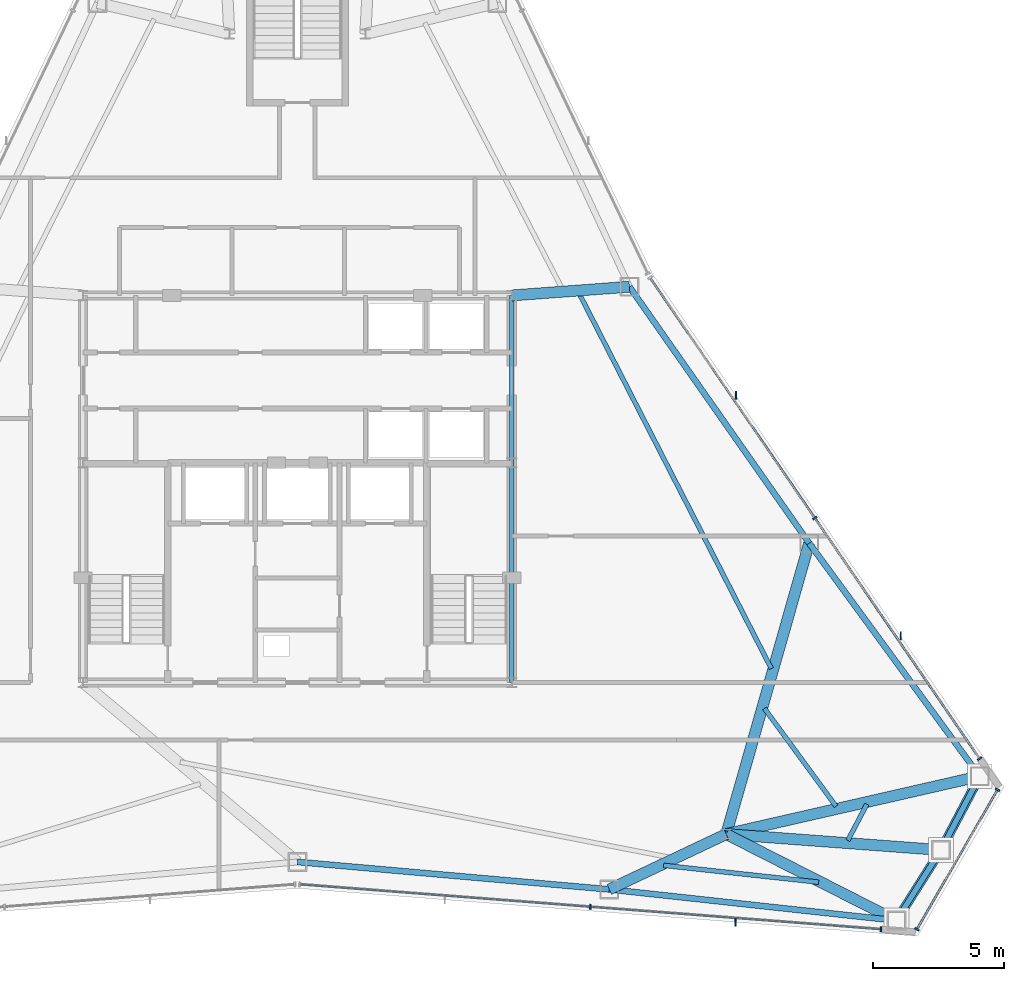
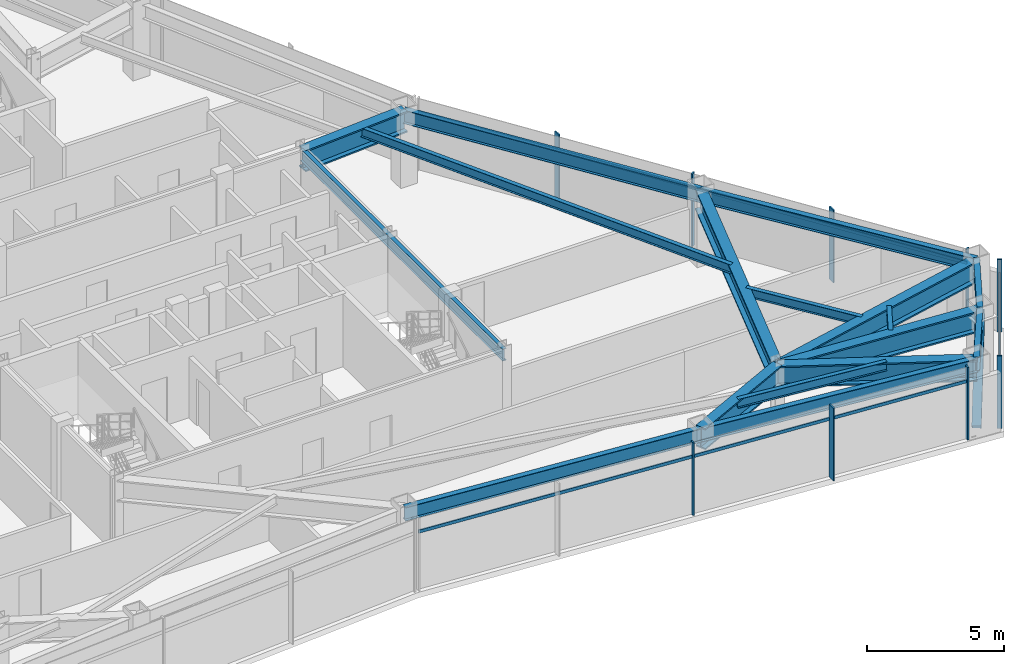
# One storey, part 6 of 12: 17 beams, 14 members, 3 elements without a shape of their own.
"""IFC4 building model written with IfcOpenShell, lengths in metres."""

from ifc_helpers import new_model, si_unit, direction, frame, origin, origin_2d, place, context, subcontext, project, spatial, rectangle, hollow_rectangle, i_section, extrude, source, transform, mapped, material, layer, layer_set, material_profile, profile_set, type_object, type_shapes, element, aggregate, save


model = new_model("IFC4")

# Units and contexts
model_context = context("Model", 3, precision=1e-05, world=origin(), true_north=direction((0.0, 1.0)))
body_context = subcontext(model_context, "Body", "Model", "MODEL_VIEW")
ifc_project = project(units=[si_unit("LENGTHUNIT", "METRE"), si_unit("AREAUNIT", "SQUARE_METRE"), si_unit("VOLUMEUNIT", "CUBIC_METRE"), si_unit("PLANEANGLEUNIT", "RADIAN"), si_unit("MASSUNIT", "GRAM", prefix="KILO")], contexts=[model_context])

# Site, building, storey
site_placement = place(None, origin())
site = spatial("IfcSite", under=ifc_project, at=site_placement, CompositionType="ELEMENT")
building_placement = place(site_placement, origin())
building = spatial("IfcBuilding", under=site, at=building_placement, Name="Varakhsha Concourse Tower", CompositionType="ELEMENT")
storey_placement = place(building_placement, frame((0.0, 0.0, 218.89990234375)))
storey = spatial("IfcBuildingStorey", under=building, at=storey_placement, Name="L62", CompositionType="ELEMENT", Elevation=218.89990234375)

# Beams
ifc_material_1 = material(Name="Structural Steel ASTM A992 Grade 50", Category="steel")
ifc_material_profile_1 = material_profile(ifc_material_1, i_section(OverallWidth=0.177978515625, OverallDepth=0.406982421875, WebThickness=0.008056640625, FlangeThickness=0.012939453125, at=origin_2d()), Name="W16X40")
ifc_profile_set_1 = profile_set([ifc_material_profile_1], Name="Structural Steel ASTM A992 Grade 50")
beam_type_1 = type_object("IfcBeamType", Name="BM-JST-W16X40", PredefinedType="JOIST", material=ifc_profile_set_1)
beam_1_placement = place(storey_placement, frame((54.005615234375, 9.404541015625, 3.046630859375), z_axis=(0.994153254107, -0.107978272576, 0.0), x_axis=(0.107978272576, 0.994153254107, 0.0)))
element("IfcBeam", 1, at=beam_1_placement, inside=storey, type_object=beam_type_1, Name="BM-TJST-L62-12", PredefinedType="JOIST", context=body_context, shape_type="SweptSolid", body=[
    extrude(i_section(OverallWidth=0.177978515625, OverallDepth=0.406982421875, WebThickness=0.008056640625, FlangeThickness=0.012939453125, at=origin_2d()), origin(), (0.0, 0.0, 1.0), 5.964599609375),
])
beam_2_placement = place(storey_placement, frame((61.049072265625, 10.3564453125, 3.046630859375), z_axis=(0.465392975907, 0.885104162219, 0.0), x_axis=(-0.885104162219, 0.465392975907, 0.0)))
element("IfcBeam", 2, at=beam_2_placement, inside=storey, type_object=beam_type_1, Name="BM-TJST-L62-14", PredefinedType="JOIST", context=body_context, shape_type="SweptSolid", body=[
    extrude(i_section(OverallWidth=0.177978515625, OverallDepth=0.406982421875, WebThickness=0.008056640625, FlangeThickness=0.012939453125, at=origin_2d()), origin(), (0.0, 0.0, 1.0), 1.56591796875),
])
beam_3_placement = place(storey_placement, frame((60.600830078125, 11.662841796875, 3.046630859375), z_axis=(-0.590553463379, 0.80699851728, 0.0), x_axis=(-0.80699851728, -0.590553463379, 0.0)))
element("IfcBeam", 3, at=beam_3_placement, inside=storey, type_object=beam_type_1, Name="BM-TJST-L62-15", PredefinedType="JOIST", context=body_context, shape_type="SweptSolid", body=[
    extrude(i_section(OverallWidth=0.177978515625, OverallDepth=0.406982421875, WebThickness=0.008056640625, FlangeThickness=0.012939453125, at=origin_2d()), origin(), (0.0, 0.0, 1.0), 4.639404296875),
])
beam_4_placement = place(storey_placement, frame((58.126708984375, 16.928466796875, 3.046630859375), z_axis=(-0.455992519423, 0.889983607844, 0.0), x_axis=(-0.889983607844, -0.455992519423, 0.0)))
element("IfcBeam", 4, at=beam_4_placement, inside=storey, type_object=beam_type_1, Name="BM-TJST-L62-16", PredefinedType="JOIST", context=body_context, shape_type="SweptSolid", body=[
    extrude(i_section(OverallWidth=0.177978515625, OverallDepth=0.406982421875, WebThickness=0.008056640625, FlangeThickness=0.012939453125, at=origin_2d()), origin(), (0.0, 0.0, 1.0), 16.134521484375),
])
ifc_material_profile_2 = material_profile(ifc_material_1, i_section(OverallWidth=0.423095703125, OverallDepth=0.947998046875, WebThickness=0.0380859375, FlangeThickness=0.06396484375, at=origin_2d()), Name="W36X302")
ifc_profile_set_2 = profile_set([ifc_material_profile_2], Name="Structural Steel ASTM A992 Grade 50")
beam_type_2 = type_object("IfcBeamType", Name="BM-OUTR-W36X302", PredefinedType="USERDEFINED", material=ifc_profile_set_2)
beam_5_placement = place(storey_placement, frame((56.39990234375, 10.60009765625, 2.776123046875), z_axis=(-0.904054231678, -0.427417765406, 0.0), x_axis=(0.427417765406, -0.904054231678, 0.0)))
element("IfcBeam", 5, at=beam_5_placement, inside=storey, type_object=beam_type_2, Name="L62 Radial Floor Girder 12", ObjectType="GIRDER", PredefinedType="USERDEFINED", context=body_context, shape_type="SweptSolid", body=[
    extrude(i_section(OverallWidth=0.423095703125, OverallDepth=0.947998046875, WebThickness=0.0380859375, FlangeThickness=0.06396484375, at=origin_2d()), origin(), (0.0, 0.0, 1.0), 4.945556640625),
])
beam_6_placement = place(storey_placement, frame((56.39990234375, 10.60009765625, 2.776123046875), z_axis=(0.891573080646, -0.452876850665, 0.0), x_axis=(0.452876850665, 0.891573080646, 0.0)))
element("IfcBeam", 6, at=beam_6_placement, inside=storey, type_object=beam_type_2, Name="L62 Radial Floor Girder 13", ObjectType="GIRDER", PredefinedType="USERDEFINED", context=body_context, shape_type="SweptSolid", body=[
    extrude(i_section(OverallWidth=0.423095703125, OverallDepth=0.947998046875, WebThickness=0.0380859375, FlangeThickness=0.06396484375, at=origin_2d()), origin(), (0.0, 0.0, 1.0), 7.2998046875),
])
beam_7_placement = place(storey_placement, frame((56.39990234375, 10.60009765625, 2.776123046875), z_axis=(0.99726143975, -0.073956884649, 0.0), x_axis=(0.073956884649, 0.99726143975, 0.0)))
element("IfcBeam", 7, at=beam_7_placement, inside=storey, type_object=beam_type_2, Name="L62 Radial Floor Girder 14", ObjectType="GIRDER", PredefinedType="USERDEFINED", context=body_context, shape_type="SweptSolid", body=[
    extrude(i_section(OverallWidth=0.423095703125, OverallDepth=0.947998046875, WebThickness=0.0380859375, FlangeThickness=0.06396484375, at=origin_2d()), origin(), (0.0, 0.0, 1.0), 8.23291015625),
])
beam_8_placement = place(storey_placement, frame((56.39990234375, 10.60009765625, 2.776123046875), z_axis=(0.974910741662, 0.222596149547, 0.0), x_axis=(-0.222596149547, 0.974910741662, 0.0)))
element("IfcBeam", 8, at=beam_8_placement, inside=storey, type_object=beam_type_2, Name="L62 Radial Floor Girder 15", ObjectType="GIRDER", PredefinedType="USERDEFINED", context=body_context, shape_type="SweptSolid", body=[
    extrude(i_section(OverallWidth=0.423095703125, OverallDepth=0.947998046875, WebThickness=0.0380859375, FlangeThickness=0.06396484375, at=origin_2d()), origin(), (0.0, 0.0, 1.0), 9.944580078125),
])
beam_9_placement = place(storey_placement, frame((56.39990234375, 10.60009765625, 2.776123046875), z_axis=(0.274261234585, 0.961655226785, 0.0), x_axis=(-0.961655226785, 0.274261234585, 0.0)))
element("IfcBeam", 9, at=beam_9_placement, inside=storey, type_object=beam_type_2, Name="L62 Radial Floor Girder 16", ObjectType="GIRDER", PredefinedType="USERDEFINED", context=body_context, shape_type="SweptSolid", body=[
    extrude(i_section(OverallWidth=0.423095703125, OverallDepth=0.947998046875, WebThickness=0.0380859375, FlangeThickness=0.06396484375, at=origin_2d()), origin(), (0.0, 0.0, 1.0), 11.569580078125),
])
beam_10_placement = place(storey_placement, frame((48.199951171875, 31.199951171875, 2.776123046875), z_axis=(0.9972917705, 0.073546750386, 0.0), x_axis=(-0.073546750386, 0.9972917705, 0.0)))
element("IfcBeam", 10, at=beam_10_placement, inside=storey, type_object=beam_type_2, Name="L62 Radial Floor Girder 17", ObjectType="GIRDER", PredefinedType="USERDEFINED", context=body_context, shape_type="SweptSolid", body=[
    extrude(i_section(OverallWidth=0.423095703125, OverallDepth=0.947998046875, WebThickness=0.0380859375, FlangeThickness=0.06396484375, at=origin_2d()), origin(), (0.0, 0.0, 1.0), 4.51123046875),
])
ifc_material_profile_3 = material_profile(ifc_material_1, i_section(OverallWidth=0.1669921875, OverallDepth=0.534912109375, WebThickness=0.010009765625, FlangeThickness=0.01708984375, at=origin_2d()), Name="W21X57")
ifc_profile_set_3 = profile_set([ifc_material_profile_3], Name="Structural Steel ASTM A992 Grade 50")
beam_type_3 = type_object("IfcBeamType", Name="BM-RAD-W21X57", PredefinedType="BEAM", material=ifc_profile_set_3)
beam_11_placement = place(storey_placement, frame((48.199951171875, 16.39990234375, 2.982666015625), z_axis=(0.0, 1.0, 0.0), x_axis=(-1.0, 0.0, 0.0)))
element("IfcBeam", 11, at=beam_11_placement, inside=storey, type_object=beam_type_3, Name="BM-TCORE-L62-CE", PredefinedType="BEAM", context=body_context, shape_type="SweptSolid", body=[
    extrude(i_section(OverallWidth=0.1669921875, OverallDepth=0.534912109375, WebThickness=0.010009765625, FlangeThickness=0.01708984375, at=origin_2d()), origin(), (0.0, 0.0, 1.0), 14.800048828125),
])
ifc_material_profile_4 = material_profile(ifc_material_1, i_section(OverallWidth=0.22900390625, OverallDepth=0.612060546875, WebThickness=0.011962890625, FlangeThickness=0.02001953125, at=origin_2d()), Name="W24X84")
ifc_profile_set_4 = profile_set([ifc_material_profile_4], Name="Structural Steel ASTM A992 Grade 50")
beam_type_4 = type_object("IfcBeamType", Name="BM-SPAN-W24X84", PredefinedType="SPANDREL", material=ifc_profile_set_4)
beam_12_placement = place(storey_placement, frame((40.0, 9.53662109375, 2.944091796875), z_axis=(0.996146369773, -0.087706385108, 0.0), x_axis=(0.087706385108, 0.996146369773, 0.0)))
element("IfcBeam", 12, at=beam_12_placement, inside=storey, type_object=beam_type_4, Name="BM-SPAN-L62-11", PredefinedType="SPANDREL", context=body_context, shape_type="SweptSolid", body=[
    extrude(i_section(OverallWidth=0.22900390625, OverallDepth=0.612060546875, WebThickness=0.011962890625, FlangeThickness=0.02001953125, at=origin_2d()), origin(), (0.0, 0.0, 1.0), 11.97509765625),
])
beam_13_placement = place(storey_placement, frame((51.928955078125, 8.486328125, 2.944091796875), z_axis=(0.99415669226, -0.107946612891, 0.0), x_axis=(0.107946612891, 0.99415669226, 0.0)))
element("IfcBeam", 13, at=beam_13_placement, inside=storey, type_object=beam_type_4, Name="BM-SPAN-L62-12", PredefinedType="SPANDREL", context=body_context, shape_type="SweptSolid", body=[
    extrude(i_section(OverallWidth=0.22900390625, OverallDepth=0.612060546875, WebThickness=0.011962890625, FlangeThickness=0.02001953125, at=origin_2d()), origin(), (0.0, 0.0, 1.0), 11.043701171875),
])
for number, where, z_axis, x_axis, name in (
    (14, (62.908203125, 7.294189453125, 2.944091796875), (0.533716468217, 0.845663486, 0.0), (-0.845663486, 0.533716468217, 0.0), "BM-SPAN-L62-13"),
    (15, (64.6103515625, 9.9912109375, 2.944091796875), (0.465522403163, 0.885036096525, 0.0), (-0.885036096525, 0.465522403163, 0.0), "BM-SPAN-L62-14"),
):
    element("IfcBeam", number, at=place(storey_placement, frame(where, z_axis=z_axis, x_axis=x_axis)), inside=storey, type_object=beam_type_4, Name=name, PredefinedType="SPANDREL", context=body_context, shape_type="SweptSolid", body=[
        extrude(i_section(OverallWidth=0.22900390625, OverallDepth=0.612060546875, WebThickness=0.011962890625, FlangeThickness=0.02001953125, at=origin_2d()), origin(), (0.0, 0.0, 1.0), 3.189208984375),
    ])
beam_14_placement = place(storey_placement, frame((66.094970703125, 12.813720703125, 2.944091796875), z_axis=(-0.590553538484, 0.806998462318, 0.0), x_axis=(-0.806998462318, -0.590553538484, 0.0)))
element("IfcBeam", 16, at=beam_14_placement, inside=storey, type_object=beam_type_4, Name="BM-SPAN-L62-15", PredefinedType="SPANDREL", context=body_context, shape_type="SweptSolid", body=[
    extrude(i_section(OverallWidth=0.22900390625, OverallDepth=0.612060546875, WebThickness=0.011962890625, FlangeThickness=0.02001953125, at=origin_2d()), origin(), (0.0, 0.0, 1.0), 11.0439453125),
])
beam_15_placement = place(storey_placement, frame((59.572998046875, 21.72607421875, 2.944091796875), z_axis=(-0.574025939062, 0.818837115233, 0.0), x_axis=(-0.818837115233, -0.574025939062, 0.0)))
element("IfcBeam", 17, at=beam_15_placement, inside=storey, type_object=beam_type_4, Name="BM-SPAN-L62-16", PredefinedType="SPANDREL", context=body_context, shape_type="SweptSolid", body=[
    extrude(i_section(OverallWidth=0.22900390625, OverallDepth=0.612060546875, WebThickness=0.011962890625, FlangeThickness=0.02001953125, at=origin_2d()), origin(), (0.0, 0.0, 1.0), 11.97509765625),
])

# Members
ifc_material_2 = material(Name="Structural Steel ASTM A500 Grade C", Category="steel")
ifc_material_profile_5 = material_profile(ifc_material_2, hollow_rectangle(XDim=0.35009765625, YDim=0.35009765625, WallThickness=0.01611328125, at=origin_2d()), Name="HSS 350x350x16")
ifc_profile_set_5 = profile_set([ifc_material_profile_5], Name="Structural Steel ASTM A500 Grade C")
member_type_1 = type_object("IfcMemberType", Name="MB-TUBE-HSS350", PredefinedType="BRACE", material=ifc_profile_set_5)
shared_shape_1 = source(origin(), body_context, "Body", "SweptSolid", [
    extrude(hollow_rectangle(XDim=0.35009765625, YDim=0.35009765625, WallThickness=0.01611328125, at=origin_2d()), origin(), (0.0, 0.0, 1.0), 4.263916015625),
])
type_shapes(member_type_1, [shared_shape_1])
for number, where, z_axis, x_axis, name in (
    (18, (62.908203125, 7.294189453125, 0.1201171875), (0.399202825625, 0.632529204631, 0.66373481851), (-0.845663486, 0.533716468217, 0.0), "L62 Wind-Corner Tube Brace B05"),
    (19, (66.094970703125, 12.813720703125, 0.1201171875), (-0.348191484068, -0.661970358052, 0.663745384529), (0.885036096525, -0.465522403163, 0.0), "L62 Wind-Corner Tube Brace B06"),
):
    element("IfcMember", number, at=place(storey_placement, frame(where, z_axis=z_axis, x_axis=x_axis)), inside=storey, type_object=member_type_1, Name=name, PredefinedType="BRACE", context=body_context, shape_type="MappedRepresentation", body=[
        mapped(shared_shape_1, transform((0.0, 0.0, 0.0), scale=1.0)),
    ])

# Curtain wall, members
ifc_material_3 = material(Name="Anodised Bronze Architectural Aluminium AA 6063-T6", Category="aluminium")
ifc_layer = layer(ifc_material_3, 0.199951171875, Name="CW-SYS-05")
ifc_layer_set = layer_set([ifc_layer], Name="Anodised Bronze Architectural Aluminium AA 6063-T6")
curtain_wall_type = type_object("IfcCurtainWallType", Name="CW-SYS-05", PredefinedType="NOTDEFINED", material=ifc_layer_set)
curtain_wall_1_placement = place(storey_placement, origin())
curtain_wall_1 = element("IfcCurtainWall", 20, at=curtain_wall_1_placement, inside=storey, type_object=curtain_wall_type, Name="L62 Crystal Curtain Wall F6", PredefinedType="NOTDEFINED")
ifc_material_profile_6 = material_profile(ifc_material_3, rectangle(XDim=0.06494140625, YDim=0.179931640625, at=origin_2d()), Name="CWM-180X65")
ifc_profile_set_6 = profile_set([ifc_material_profile_6], Name="Anodised Bronze Architectural Aluminium AA 6063-T6")
member_type_2 = type_object("IfcMemberType", Name="CWM-180X65", PredefinedType="MULLION", material=ifc_profile_set_6)
shared_shape_2 = source(origin(), body_context, "Body", "SweptSolid", [
    extrude(rectangle(XDim=0.06494140625, YDim=0.179931640625, at=origin_2d()), origin(), (0.0, 0.0, 1.0), 3.25),
])
type_shapes(member_type_2, [shared_shape_2])
member_1_placement = place(storey_placement, frame((62.319091796875, 6.962158203125, 0.0), z_axis=(0.0, 0.0, 1.0), x_axis=(-0.997034110791, 0.076960911628, 0.0)))
member_1 = element("IfcMember", 21, at=member_1_placement, type_object=member_type_2, Name="CW-L62-F6 Mullion 00", PredefinedType="MULLION", context=body_context, shape_type="MappedRepresentation", body=[
    mapped(shared_shape_2, transform((0.0, 0.0, 0.0), scale=1.0)),
])
member_2_placement = place(storey_placement, frame((51.20556640625, 7.820068359375, 0.0), z_axis=(0.0, 0.0, 1.0), x_axis=(-0.997034110791, 0.076960911628, 0.0)))
member_2 = element("IfcMember", 22, at=member_2_placement, type_object=member_type_2, Name="CW-L62-F6 Mullion 01", PredefinedType="MULLION", context=body_context, shape_type="MappedRepresentation", body=[
    mapped(shared_shape_2, transform((0.0, 0.0, 0.0), scale=1.0)),
])

curtain_wall_2_placement = place(storey_placement, origin())
curtain_wall_2 = element("IfcCurtainWall", 23, at=curtain_wall_2_placement, inside=storey, type_object=curtain_wall_type, Name="L62 Chamfer Curtain Wall F7", PredefinedType="NOTDEFINED")
member_3_placement = place(storey_placement, frame((66.773681640625, 12.298583984375, 0.0), z_axis=(0.0, 0.0, 1.0), x_axis=(-0.49999395399, -0.866028894422, 0.0)))
member_3 = element("IfcMember", 24, at=member_3_placement, type_object=member_type_2, Name="CW-L62-F7 Mullion 00", PredefinedType="MULLION", context=body_context, shape_type="MappedRepresentation", body=[
    mapped(shared_shape_2, transform((0.0, 0.0, 0.0), scale=1.0)),
])
member_4_placement = place(storey_placement, frame((63.69384765625, 6.9638671875, 0.0), z_axis=(0.0, 0.0, 1.0), x_axis=(-0.49999395399, -0.866028894422, 0.0)))
member_4 = element("IfcMember", 25, at=member_4_placement, type_object=member_type_2, Name="CW-L62-F7 Mullion 01", PredefinedType="MULLION", context=body_context, shape_type="MappedRepresentation", body=[
    mapped(shared_shape_2, transform((0.0, 0.0, 0.0), scale=1.0)),
])

curtain_wall_3_placement = place(storey_placement, origin())
curtain_wall_3 = element("IfcCurtainWall", 26, at=curtain_wall_3_placement, inside=storey, type_object=curtain_wall_type, Name="L62 Crystal Curtain Wall F8", PredefinedType="NOTDEFINED")
member_5_placement = place(storey_placement, frame((59.7880859375, 22.685791015625, 0.0), z_axis=(0.0, 0.0, 1.0), x_axis=(0.565172919372, -0.82497246694, 0.0)))
member_5 = element("IfcMember", 27, at=member_5_placement, type_object=member_type_2, Name="CW-L62-F8 Mullion 01", PredefinedType="MULLION", context=body_context, shape_type="MappedRepresentation", body=[
    mapped(shared_shape_2, transform((0.0, 0.0, 0.0), scale=1.0)),
])
member_6_placement = place(storey_placement, frame((66.087890625, 13.490234375, 0.0), z_axis=(0.0, 0.0, 1.0), x_axis=(0.565172919372, -0.82497246694, 0.0)))
member_6 = element("IfcMember", 28, at=member_6_placement, type_object=member_type_2, Name="CW-L62-F8 Mullion 02", PredefinedType="MULLION", context=body_context, shape_type="MappedRepresentation", body=[
    mapped(shared_shape_2, transform((0.0, 0.0, 0.0), scale=1.0)),
])

# Member
ifc_material_profile_7 = material_profile(ifc_material_3, rectangle(XDim=0.054931640625, YDim=0.300048828125, at=origin_2d()), Name="FIN-BRZ-300")
ifc_profile_set_7 = profile_set([ifc_material_profile_7], Name="Anodised Bronze Architectural Aluminium AA 6063-T6")
member_type_3 = type_object("IfcMemberType", Name="FIN-BRZ-300", PredefinedType="USERDEFINED", material=ifc_profile_set_7)
shared_shape_3 = source(origin(), body_context, "Body", "SweptSolid", [
    extrude(rectangle(XDim=0.054931640625, YDim=0.300048828125, at=origin_2d()), origin(), (0.0, 0.0, 1.0), 3.25),
])
type_shapes(member_type_3, [shared_shape_3])
member_7_placement = place(storey_placement, frame((56.74951171875, 7.2265625, 0.0), z_axis=(0.0, 0.0, 1.0), x_axis=(1.0, 0.0, 0.0)))
member_7 = element("IfcMember", 29, at=member_7_placement, type_object=member_type_3, Name="L62 Anodised Bronze Solar Fin F6-1", ObjectType="SOLAR FIN", PredefinedType="USERDEFINED", context=body_context, shape_type="MappedRepresentation", body=[
    mapped(shared_shape_3, transform((0.0, 0.0, 0.0), scale=1.0)),
])

member_8_placement = place(storey_placement, frame((56.7744140625, 27.376708984375, 0.0), z_axis=(0.0, 0.0, 1.0), x_axis=(1.0, 0.0, 0.0)))
member_8 = element("IfcMember", 30, at=member_8_placement, type_object=member_type_3, Name="L62 Anodised Bronze Solar Fin F8-1", ObjectType="SOLAR FIN", PredefinedType="USERDEFINED", context=body_context, shape_type="MappedRepresentation", body=[
    mapped(shared_shape_3, transform((0.0, 0.0, 0.0), scale=1.0)),
])

member_9_placement = place(storey_placement, frame((63.07421875, 18.18115234375, 0.0), z_axis=(0.0, 0.0, 1.0), x_axis=(1.0, 0.0, 0.0)))
member_9 = element("IfcMember", 31, at=member_9_placement, type_object=member_type_3, Name="L62 Anodised Bronze Solar Fin F8-2", ObjectType="SOLAR FIN", PredefinedType="USERDEFINED", context=body_context, shape_type="MappedRepresentation", body=[
    mapped(shared_shape_3, transform((0.0, 0.0, 0.0), scale=1.0)),
])

ifc_material_profile_8 = material_profile(ifc_material_3, rectangle(XDim=0.06005859375, YDim=0.139892578125, at=origin_2d()), Name="CWT-140X60")
ifc_profile_set_8 = profile_set([ifc_material_profile_8], Name="Anodised Bronze Architectural Aluminium AA 6063-T6")
member_type_4 = type_object("IfcMemberType", Name="CWT-140X60", PredefinedType="USERDEFINED", material=ifc_profile_set_8)
shared_shape_4 = source(origin(), body_context, "Body", "SweptSolid", [
    extrude(rectangle(XDim=0.06005859375, YDim=0.139892578125, at=origin_2d()), origin(), (0.0, 0.0, 1.0), 22.29296875),
])
member_10_placement = place(storey_placement, frame((53.488525390625, 31.88134765625, 2.60009765625), z_axis=(0.565171817913, -0.824973221527, 0.0), x_axis=(0.824973221527, 0.565171817913, 0.0)))
member_10 = element("IfcMember", 32, at=member_10_placement, type_object=member_type_4, Name="CW-L62-F8 Transom 01", ObjectType="TRANSOM", PredefinedType="USERDEFINED", context=body_context, shape_type="MappedRepresentation", body=[
    mapped(shared_shape_4, transform((0.0, 0.0, 0.0), scale=1.0)),
])

aggregate(curtain_wall_3, [member_5, member_6, member_10, member_8, member_9])

shared_shape_5 = source(origin(), body_context, "Body", "SweptSolid", [
    extrude(rectangle(XDim=0.06005859375, YDim=0.139892578125, at=origin_2d()), origin(), (0.0, 0.0, 1.0), 22.293212890625),
])
member_11_placement = place(storey_placement, frame((62.319091796875, 6.962158203125, 2.60009765625), z_axis=(-0.997033705872, 0.076966157212, 0.0), x_axis=(-0.076966157212, -0.997033705872, 0.0)))
member_11 = element("IfcMember", 33, at=member_11_placement, type_object=member_type_4, Name="CW-L62-F6 Transom 01", ObjectType="TRANSOM", PredefinedType="USERDEFINED", context=body_context, shape_type="MappedRepresentation", body=[
    mapped(shared_shape_5, transform((0.0, 0.0, 0.0), scale=1.0)),
])

aggregate(curtain_wall_1, [member_1, member_2, member_11, member_7])

shared_shape_6 = source(origin(), body_context, "Body", "SweptSolid", [
    extrude(rectangle(XDim=0.06005859375, YDim=0.139892578125, at=origin_2d()), origin(), (0.0, 0.0, 1.0), 6.159912109375),
])
type_shapes(member_type_4, [shared_shape_4, shared_shape_5, shared_shape_6])
member_12_placement = place(storey_placement, frame((66.773681640625, 12.298583984375, 2.60009765625), z_axis=(-0.49997976489, -0.866037086216, 0.0), x_axis=(0.866037086216, -0.49997976489, 0.0)))
member_12 = element("IfcMember", 34, at=member_12_placement, type_object=member_type_4, Name="CW-L62-F7 Transom 01", ObjectType="TRANSOM", PredefinedType="USERDEFINED", context=body_context, shape_type="MappedRepresentation", body=[
    mapped(shared_shape_6, transform((0.0, 0.0, 0.0), scale=1.0)),
])

aggregate(curtain_wall_2, [member_3, member_4, member_12])

save(model, "model.ifc")
